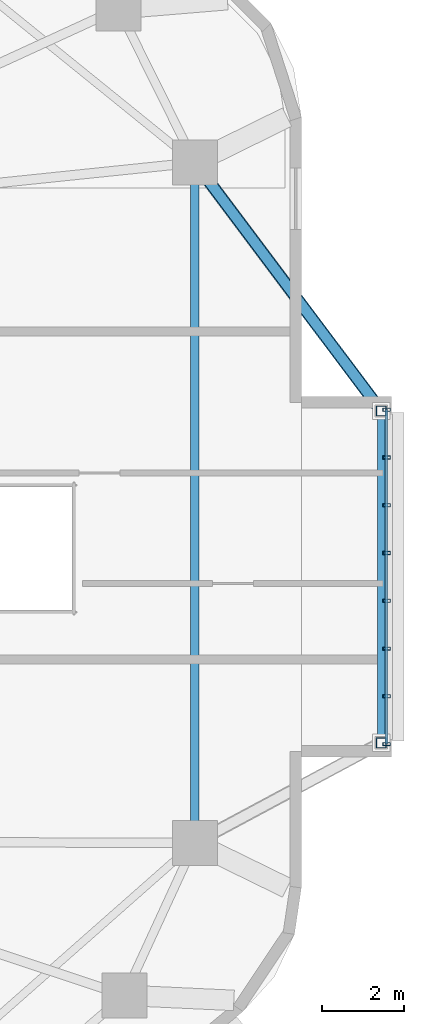
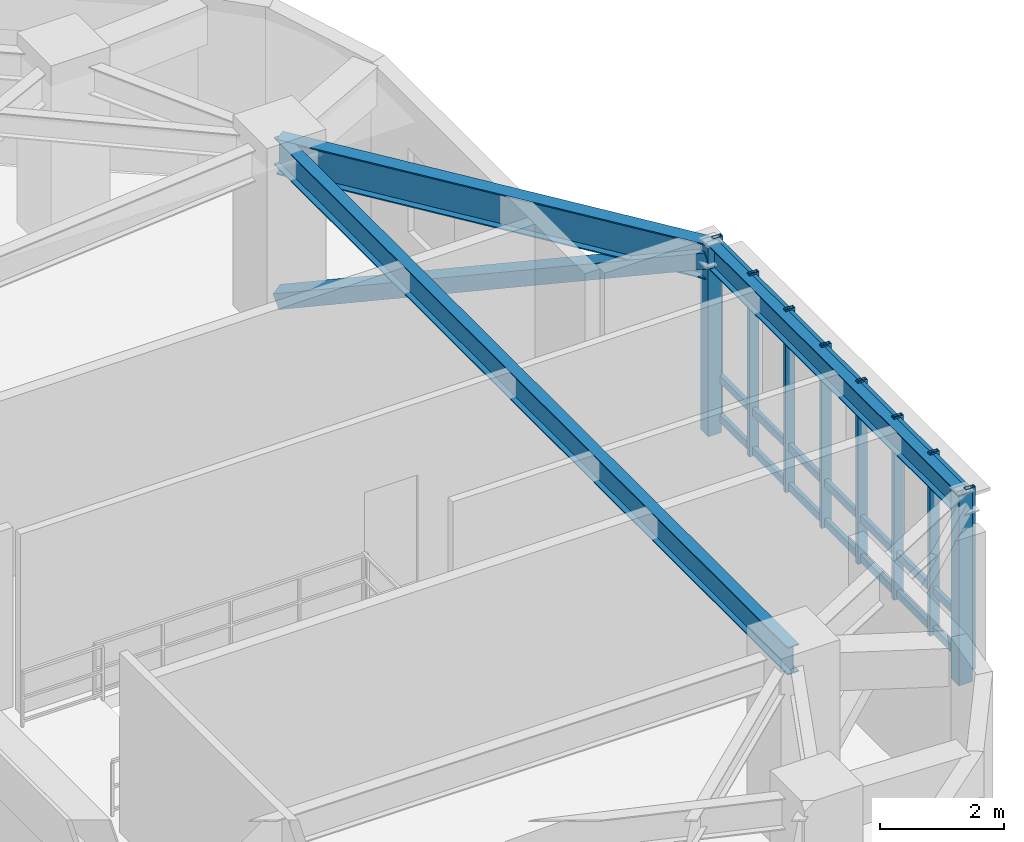
# One storey, part 5 of 14: 14 members, 3 beams, 1 element without a shape of its own.
"""IFC4 building model written with IfcOpenShell, lengths in metres."""

from ifc_helpers import new_model, si_unit, direction, frame, origin, origin_2d, place, context, subcontext, project, spatial, hollow_rectangle, i_section, extrude, material, material_profile, profile_set, type_object, element, aggregate, save


model = new_model("IFC4")

# Units and contexts
model_context = context("Model", 3, precision=1e-05, world=origin(), true_north=direction((0.0, 1.0)))
body_context = subcontext(model_context, "Body", "Model", "MODEL_VIEW")
ifc_project = project(units=[si_unit("LENGTHUNIT", "METRE"), si_unit("AREAUNIT", "SQUARE_METRE"), si_unit("VOLUMEUNIT", "CUBIC_METRE"), si_unit("PLANEANGLEUNIT", "RADIAN"), si_unit("MASSUNIT", "GRAM", prefix="KILO")], contexts=[model_context])

# Site, building, storey
site_placement = place(None, origin())
site = spatial("IfcSite", under=ifc_project, at=site_placement, CompositionType="ELEMENT")
building_placement = place(site_placement, origin())
building = spatial("IfcBuilding", under=site, at=building_placement, Name="Zulverin Broadcast Headquarters", CompositionType="ELEMENT")
storey_placement = place(building_placement, frame((0.0, 0.0, 128.800048828125)))
storey = spatial("IfcBuildingStorey", under=building, at=storey_placement, Name="L32", CompositionType="ELEMENT", Elevation=128.800048828125)

# Beams
ifc_material_1 = material(Name="Structural steel S355JR", Category="steel")
ifc_material_profile_1 = material_profile(ifc_material_1, i_section(OverallWidth=0.19287109375, OverallDepth=0.46728515625, WebThickness=0.011474609375, FlangeThickness=0.01953125, at=origin_2d()), Name="Structural steel S355JR", Category="steel")
ifc_profile_set_1 = profile_set([ifc_material_profile_1], Name="Structural steel S355JR")
beam_type_1 = type_object("IfcBeamType", Name="BM-UB-457", PredefinedType="JOIST", material=ifc_profile_set_1)
beam_1_placement = place(storey_placement, frame((65.14990234375, 19.9599609375, 3.306396484375), z_axis=(0.0, 1.0, 0.0), x_axis=(-1.0, 0.0, 0.0)))
element("IfcBeam", 1, at=beam_1_placement, inside=storey, type_object=beam_type_1, Name="L32 Studio Box Edge Beam SBOX_SKY1_E", PredefinedType="JOIST", context=body_context, shape_type="SweptSolid", body=[
    extrude(i_section(OverallWidth=0.19287109375, OverallDepth=0.46728515625, WebThickness=0.011474609375, FlangeThickness=0.01953125, at=origin_2d()), origin(), (0.0, 0.0, 1.0), 8.10009765625),
])
ifc_material_profile_2 = material_profile(ifc_material_1, i_section(OverallWidth=0.2119140625, OverallDepth=0.54443359375, WebThickness=0.0126953125, FlangeThickness=0.021240234375, at=origin_2d()), Name="Structural steel S355JR", Category="steel")
ifc_profile_set_2 = profile_set([ifc_material_profile_2], Name="Structural steel S355JR")
beam_type_2 = type_object("IfcBeamType", Name="BM-UB-533", PredefinedType="SPANDREL", material=ifc_profile_set_2)
beam_2_placement = place(storey_placement, frame((60.60009765625, 17.519287109375, 3.267578125), z_axis=(0.0, 1.0, 0.0), x_axis=(-1.0, 0.0, 0.0)))
element("IfcBeam", 2, at=beam_2_placement, inside=storey, type_object=beam_type_2, Name="L32 Perimeter Spandrel Beam SP-05", PredefinedType="SPANDREL", context=body_context, shape_type="SweptSolid", body=[
    extrude(i_section(OverallWidth=0.2119140625, OverallDepth=0.54443359375, WebThickness=0.0126953125, FlangeThickness=0.021240234375, at=origin_2d()), origin(), (0.0, 0.0, 1.0), 16.602294921875),
])
ifc_material_profile_3 = material_profile(ifc_material_1, i_section(OverallWidth=0.255859375, OverallDepth=0.69287109375, WebThickness=0.014404296875, FlangeThickness=0.023681640625, at=origin_2d()), Name="Structural steel S355JR", Category="steel")
ifc_profile_set_3 = profile_set([ifc_material_profile_3], Name="Structural steel S355JR")
beam_type_3 = type_object("IfcBeamType", Name="BM-UB-686", PredefinedType="BEAM", material=ifc_profile_set_3)
beam_3_placement = place(storey_placement, frame((60.60009765625, 34.12158203125, 3.193359375), z_axis=(0.600309193651, -0.799768011374, 0.0), x_axis=(0.799768011374, 0.600309193651, 0.0)))
element("IfcBeam", 3, at=beam_3_placement, inside=storey, type_object=beam_type_3, Name="L32 Studio Box Cantilever Girder SBOX_SKY1_E-2", PredefinedType="BEAM", context=body_context, shape_type="SweptSolid", body=[
    extrude(i_section(OverallWidth=0.255859375, OverallDepth=0.69287109375, WebThickness=0.014404296875, FlangeThickness=0.023681640625, at=origin_2d()), origin(), (0.0, 0.0, 1.0), 7.5791015625),
])

# Curtain wall, members
ifc_material_2 = material(Name="Acoustic triple-glazed studio box curtain wall", Category="aluminium")
curtain_wall_type = type_object("IfcCurtainWallType", Name="CW-SBOX", PredefinedType="USERDEFINED", material=ifc_material_2)
curtain_wall_placement = place(storey_placement, origin())
curtain_wall = element("IfcCurtainWall", 4, at=curtain_wall_placement, inside=storey, type_object=curtain_wall_type, Name="L32 Unitised Curtain Wall CW-L32-SBOX_SKY1_E-F", ObjectType="UNITISED CURTAIN WALL", PredefinedType="USERDEFINED")
ifc_material_3 = material(Name="Anodized pale-metal aluminium alloy 6063-T6", Category="aluminium")
ifc_material_profile_4 = material_profile(ifc_material_3, hollow_rectangle(XDim=0.074951171875, YDim=0.179931640625, WallThickness=0.0048828125, at=origin_2d()), Name="Anodized pale-metal aluminium alloy 6063-T6", Category="aluminium")
ifc_profile_set_4 = profile_set([ifc_material_profile_4], Name="Anodized pale-metal aluminium alloy 6063-T6")
member_type_1 = type_object("IfcMemberType", Name="CW-MUL-180", PredefinedType="MULLION", material=ifc_profile_set_4)
member_1_placement = place(storey_placement, frame((65.280029296875, 19.929931640625, -0.030029296875), z_axis=(0.0, 0.0, 1.0), x_axis=(0.0, 1.0, 0.0)))
member_1 = element("IfcMember", 5, at=member_1_placement, type_object=member_type_1, Name="CW-L32-SBOX_SKY1_E-F Mullion 00", PredefinedType="MULLION", context=body_context, shape_type="SweptSolid", body=[
    extrude(hollow_rectangle(XDim=0.074951171875, YDim=0.179931640625, WallThickness=0.0048828125, at=origin_2d()), origin(), (0.0, 0.0, 1.0), 3.60009765625),
])
member_2_placement = place(storey_placement, frame((65.280029296875, 21.095703125, -0.030029296875), z_axis=(0.0, 0.0, 1.0), x_axis=(0.0, 1.0, 0.0)))
member_2 = element("IfcMember", 6, at=member_2_placement, type_object=member_type_1, Name="CW-L32-SBOX_SKY1_E-F Mullion 01", PredefinedType="MULLION", context=body_context, shape_type="SweptSolid", body=[
    extrude(hollow_rectangle(XDim=0.074951171875, YDim=0.179931640625, WallThickness=0.0048828125, at=origin_2d()), origin(), (0.0, 0.0, 1.0), 3.60009765625),
])
member_3_placement = place(storey_placement, frame((65.280029296875, 22.261474609375, -0.030029296875), z_axis=(0.0, 0.0, 1.0), x_axis=(0.0, 1.0, 0.0)))
member_3 = element("IfcMember", 7, at=member_3_placement, type_object=member_type_1, Name="CW-L32-SBOX_SKY1_E-F Mullion 02", PredefinedType="MULLION", context=body_context, shape_type="SweptSolid", body=[
    extrude(hollow_rectangle(XDim=0.074951171875, YDim=0.179931640625, WallThickness=0.0048828125, at=origin_2d()), origin(), (0.0, 0.0, 1.0), 3.60009765625),
])
member_4_placement = place(storey_placement, frame((65.280029296875, 23.427001953125, -0.030029296875), z_axis=(0.0, 0.0, 1.0), x_axis=(0.0, 1.0, 0.0)))
member_4 = element("IfcMember", 8, at=member_4_placement, type_object=member_type_1, Name="CW-L32-SBOX_SKY1_E-F Mullion 03", PredefinedType="MULLION", context=body_context, shape_type="SweptSolid", body=[
    extrude(hollow_rectangle(XDim=0.074951171875, YDim=0.179931640625, WallThickness=0.0048828125, at=origin_2d()), origin(), (0.0, 0.0, 1.0), 3.60009765625),
])
member_5_placement = place(storey_placement, frame((65.280029296875, 24.593017578125, -0.030029296875), z_axis=(0.0, 0.0, 1.0), x_axis=(0.0, 1.0, 0.0)))
member_5 = element("IfcMember", 9, at=member_5_placement, type_object=member_type_1, Name="CW-L32-SBOX_SKY1_E-F Mullion 04", PredefinedType="MULLION", context=body_context, shape_type="SweptSolid", body=[
    extrude(hollow_rectangle(XDim=0.074951171875, YDim=0.179931640625, WallThickness=0.0048828125, at=origin_2d()), origin(), (0.0, 0.0, 1.0), 3.60009765625),
])
member_6_placement = place(storey_placement, frame((65.280029296875, 25.758544921875, -0.030029296875), z_axis=(0.0, 0.0, 1.0), x_axis=(0.0, 1.0, 0.0)))
member_6 = element("IfcMember", 10, at=member_6_placement, type_object=member_type_1, Name="CW-L32-SBOX_SKY1_E-F Mullion 05", PredefinedType="MULLION", context=body_context, shape_type="SweptSolid", body=[
    extrude(hollow_rectangle(XDim=0.074951171875, YDim=0.179931640625, WallThickness=0.0048828125, at=origin_2d()), origin(), (0.0, 0.0, 1.0), 3.60009765625),
])
member_7_placement = place(storey_placement, frame((65.280029296875, 26.92431640625, -0.030029296875), z_axis=(0.0, 0.0, 1.0), x_axis=(0.0, 1.0, 0.0)))
member_7 = element("IfcMember", 11, at=member_7_placement, type_object=member_type_1, Name="CW-L32-SBOX_SKY1_E-F Mullion 06", PredefinedType="MULLION", context=body_context, shape_type="SweptSolid", body=[
    extrude(hollow_rectangle(XDim=0.074951171875, YDim=0.179931640625, WallThickness=0.0048828125, at=origin_2d()), origin(), (0.0, 0.0, 1.0), 3.60009765625),
])
member_8_placement = place(storey_placement, frame((65.280029296875, 28.090087890625, -0.030029296875), z_axis=(0.0, 0.0, 1.0), x_axis=(0.0, 1.0, 0.0)))
member_8 = element("IfcMember", 12, at=member_8_placement, type_object=member_type_1, Name="CW-L32-SBOX_SKY1_E-F Mullion 07", PredefinedType="MULLION", context=body_context, shape_type="SweptSolid", body=[
    extrude(hollow_rectangle(XDim=0.074951171875, YDim=0.179931640625, WallThickness=0.0048828125, at=origin_2d()), origin(), (0.0, 0.0, 1.0), 3.60009765625),
])
ifc_material_profile_5 = material_profile(ifc_material_3, hollow_rectangle(XDim=0.074951171875, YDim=0.14990234375, WallThickness=0.0048828125, at=origin_2d()), Name="Anodized pale-metal aluminium alloy 6063-T6", Category="aluminium")
ifc_profile_set_5 = profile_set([ifc_material_profile_5], Name="Anodized pale-metal aluminium alloy 6063-T6")
member_type_2 = type_object("IfcMemberType", Name="CW-TRN-150", PredefinedType="USERDEFINED", material=ifc_profile_set_5)
member_9_placement = place(storey_placement, frame((65.280029296875, 19.929931640625, 0.074951171875), z_axis=(0.0, 1.0, 0.0), x_axis=(-1.0, 0.0, 0.0)))
member_9 = element("IfcMember", 13, at=member_9_placement, type_object=member_type_2, Name="CW-L32-SBOX_SKY1_E-F Transom 0", ObjectType="TRANSOM", PredefinedType="USERDEFINED", context=body_context, shape_type="SweptSolid", body=[
    extrude(hollow_rectangle(XDim=0.074951171875, YDim=0.14990234375, WallThickness=0.0048828125, at=origin_2d()), origin(), (0.0, 0.0, 1.0), 8.16015625),
])
member_10_placement = place(storey_placement, frame((65.280029296875, 19.929931640625, 0.849609375), z_axis=(0.0, 1.0, 0.0), x_axis=(-1.0, 0.0, 0.0)))
member_10 = element("IfcMember", 14, at=member_10_placement, type_object=member_type_2, Name="CW-L32-SBOX_SKY1_E-F Transom 1", ObjectType="TRANSOM", PredefinedType="USERDEFINED", context=body_context, shape_type="SweptSolid", body=[
    extrude(hollow_rectangle(XDim=0.074951171875, YDim=0.14990234375, WallThickness=0.0048828125, at=origin_2d()), origin(), (0.0, 0.0, 1.0), 8.16015625),
])
member_11_placement = place(storey_placement, frame((65.280029296875, 19.929931640625, 3.46484375), z_axis=(0.0, 1.0, 0.0), x_axis=(-1.0, 0.0, 0.0)))
member_11 = element("IfcMember", 15, at=member_11_placement, type_object=member_type_2, Name="CW-L32-SBOX_SKY1_E-F Transom 2", ObjectType="TRANSOM", PredefinedType="USERDEFINED", context=body_context, shape_type="SweptSolid", body=[
    extrude(hollow_rectangle(XDim=0.074951171875, YDim=0.14990234375, WallThickness=0.0048828125, at=origin_2d()), origin(), (0.0, 0.0, 1.0), 8.16015625),
])
aggregate(curtain_wall, [member_1, member_2, member_3, member_4, member_5, member_6, member_7, member_8, member_9, member_10, member_11])

# Members
ifc_material_profile_6 = material_profile(ifc_material_1, hollow_rectangle(XDim=0.300048828125, YDim=0.300048828125, WallThickness=0.01611328125, at=origin_2d()), Name="Structural steel S355JR", Category="steel")
ifc_profile_set_6 = profile_set([ifc_material_profile_6], Name="Structural steel S355JR")
member_type_3 = type_object("IfcMemberType", Name="MBR-BLT-DIAG1", PredefinedType="BRACE", material=ifc_profile_set_6)
member_12_placement = place(storey_placement, frame((60.60009765625, 34.12158203125, 0.349853515625), z_axis=(0.560911140948, -0.747279556098, 0.356303181291), x_axis=(0.799768011374, 0.600309193651, 0.0)))
element("IfcMember", 16, at=member_12_placement, inside=storey, type_object=member_type_3, Name="L32 Studio Box Raking Knee Brace SBOX_SKY1_E-2", PredefinedType="BRACE", context=body_context, shape_type="SweptSolid", body=[
    extrude(hollow_rectangle(XDim=0.300048828125, YDim=0.300048828125, WallThickness=0.01611328125, at=origin_2d()), origin(), (0.0, 0.0, 1.0), 8.111572265625),
])
ifc_material_profile_7 = material_profile(ifc_material_1, hollow_rectangle(XDim=0.25, YDim=0.25, WallThickness=0.01611328125, at=origin_2d()), Name="Structural steel S355JR", Category="steel")
ifc_profile_set_7 = profile_set([ifc_material_profile_7], Name="Structural steel S355JR")
member_type_4 = type_object("IfcMemberType", Name="MBR-BLT-POST", PredefinedType="POST", material=ifc_profile_set_7)
for number, where, z_axis, x_axis, name in (
    (17, (65.14990234375, 19.9599609375, -0.2099609375), (0.0, 0.0, 1.0), (1.0, 0.0, 0.0), "L32 Shifted Studio Box Frame Post SBOX_SKY1_E-1"),
    (18, (65.14990234375, 28.06005859375, -0.2099609375), (0.0, 0.0, 1.0), (1.0, 0.0, 0.0), "L32 Shifted Studio Box Frame Post SBOX_SKY1_E-2"),
):
    element("IfcMember", number, at=place(storey_placement, frame(where, z_axis=z_axis, x_axis=x_axis)), inside=storey, type_object=member_type_4, Name=name, PredefinedType="POST", context=body_context, shape_type="SweptSolid", body=[
        extrude(hollow_rectangle(XDim=0.25, YDim=0.25, WallThickness=0.01611328125, at=origin_2d()), origin(), (0.0, 0.0, 1.0), 3.75),
    ])

save(model, "model.ifc")
